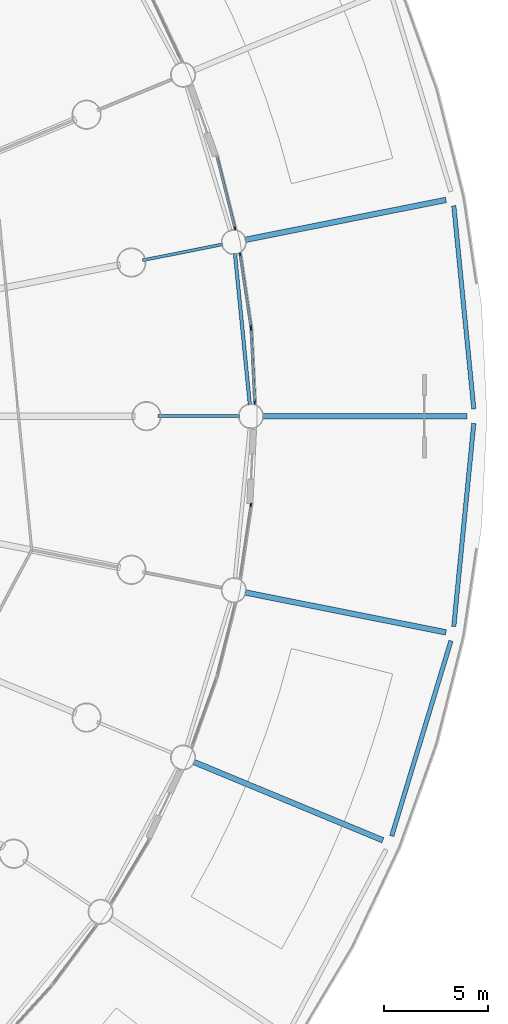
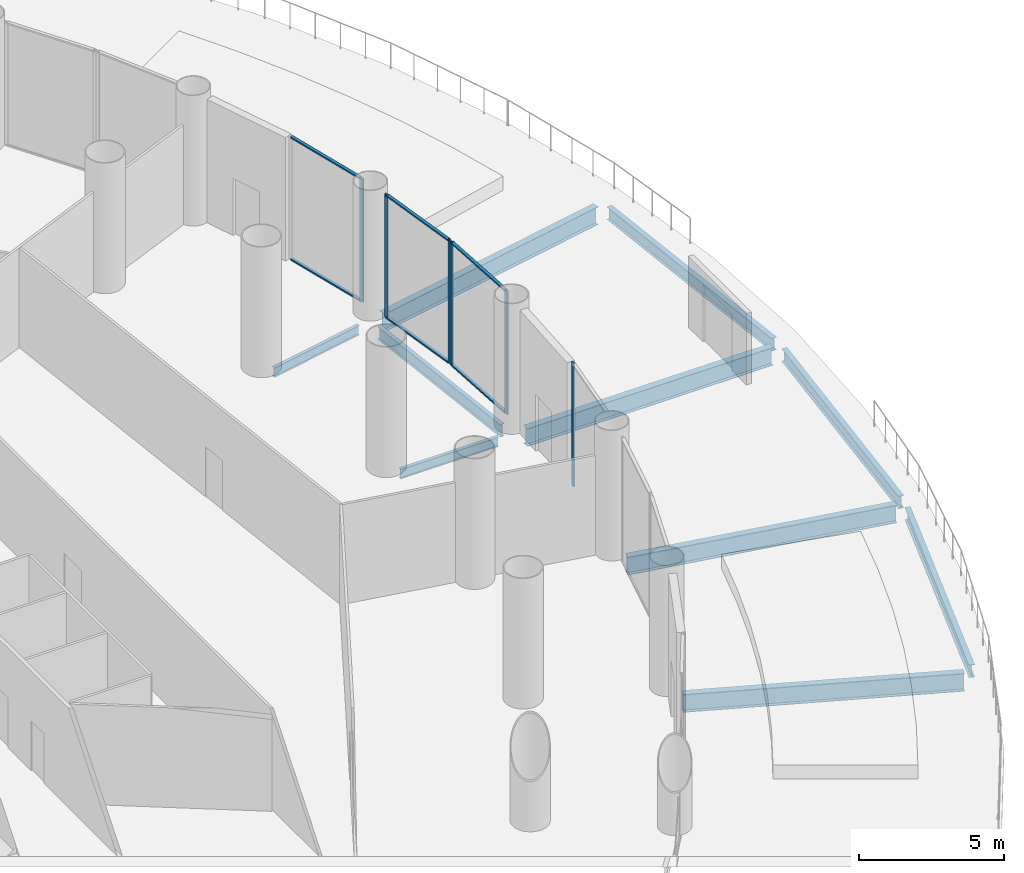
# One storey, part 16 of 36: 12 members, 10 beams, 4 elements without a shape of their own.
"""IFC4 building model written with IfcOpenShell, lengths in metres."""

from ifc_helpers import new_model, si_unit, direction, frame, origin, origin_2d, place, context, subcontext, project, spatial, rectangle, i_section, extrude, material, material_profile, profile_set, type_object, element, aggregate, save


model = new_model("IFC4")

# Units and contexts
model_context = context("Model", 3, precision=1e-05, world=origin(), true_north=direction((0.0, 1.0)))
body_context = subcontext(model_context, "Body", "Model", "MODEL_VIEW")
ifc_project = project(units=[si_unit("LENGTHUNIT", "METRE"), si_unit("AREAUNIT", "SQUARE_METRE"), si_unit("VOLUMEUNIT", "CUBIC_METRE"), si_unit("PLANEANGLEUNIT", "RADIAN"), si_unit("MASSUNIT", "GRAM", prefix="KILO")], contexts=[model_context])

# Site, building, storey
site_placement = place(None, origin())
site = spatial("IfcSite", under=ifc_project, at=site_placement, CompositionType="ELEMENT")
building_placement = place(site_placement, origin())
building = spatial("IfcBuilding", under=site, at=building_placement, Name="Corvane Civic Tower", CompositionType="ELEMENT")
storey_placement = place(building_placement, frame((0.0, 0.0, 6.0)))
storey = spatial("IfcBuildingStorey", under=building, at=storey_placement, Name="L01", CompositionType="ELEMENT", Elevation=6.0)

# Beams
ifc_material_1 = material(Name="Steel ASTM A992 Gr 50", Category="steel")
ifc_material_profile_1 = material_profile(ifc_material_1, i_section(OverallWidth=0.2666015625, OverallDepth=0.7568359375, WebThickness=0.013916015625, FlangeThickness=0.019287109375, at=origin_2d()), Name="W30X108")
ifc_profile_set_1 = profile_set([ifc_material_profile_1], Name="Steel ASTM A992 Gr 50")
beam_type_1 = type_object("IfcBeamType", Name="DECK BEAM W30X108", PredefinedType="BEAM", material=ifc_profile_set_1)
for number, where, z_axis, x_axis, name in (
    (1, (42.4189453125, 8.437744140625, -0.678466796875), (0.980786137942, 0.195086010826, 0.0), (-0.195086010826, 0.980786137942, 0.0), "BM-L01-D08"),
    (2, (43.25, 0.0, -0.678466796875), (1.0, 0.0, 0.0), (0.0, 1.0, 0.0), "BM-L01-D09"),
    (3, (42.4189453125, -8.437744140625, -0.678466796875), (0.980786137942, -0.195086010826, 0.0), (0.195086010826, 0.980786137942, 0.0), "BM-L01-D10"),
):
    element("IfcBeam", number, at=place(storey_placement, frame(where, z_axis=z_axis, x_axis=x_axis)), inside=storey, type_object=beam_type_1, Name=name, PredefinedType="BEAM", context=body_context, shape_type="SweptSolid", body=[
        extrude(i_section(OverallWidth=0.2666015625, OverallDepth=0.7568359375, WebThickness=0.013916015625, FlangeThickness=0.019287109375, at=origin_2d()), origin(), (0.0, 0.0, 1.0), 9.800048828125),
    ])
beam_1_placement = place(storey_placement, frame((39.957763671875, -16.551025390625, -0.678466796875), z_axis=(0.923880501031, -0.382681094144, 0.0), x_axis=(0.382681094144, 0.923880501031, 0.0)))
element("IfcBeam", 4, at=beam_1_placement, inside=storey, type_object=beam_type_1, Name="BM-L01-D11", PredefinedType="BEAM", context=body_context, shape_type="SweptSolid", body=[
    extrude(i_section(OverallWidth=0.2666015625, OverallDepth=0.7568359375, WebThickness=0.013916015625, FlangeThickness=0.019287109375, at=origin_2d()), origin(), (0.0, 0.0, 1.0), 9.7998046875),
])
ifc_material_2 = material(Name="Steel ASTM A992 Gr 50", Category="steel")
ifc_material_profile_2 = material_profile(ifc_material_2, i_section(OverallWidth=0.165771484375, OverallDepth=0.5283203125, WebThickness=0.009765625, FlangeThickness=0.013671875, at=origin_2d()), Name="W21X50")
ifc_profile_set_2 = profile_set([ifc_material_profile_2], Name="Steel ASTM A992 Gr 50")
beam_type_2 = type_object("IfcBeamType", Name="EDGE BEAM W21X50", PredefinedType="BEAM", material=ifc_profile_set_2)
beam_2_placement = place(storey_placement, frame((41.93359375, 7.782958984375, -0.564208984375), z_axis=(0.097984225478, -0.995187967953, 0.0), x_axis=(0.995187967953, 0.097984225478, 0.0)))
element("IfcBeam", 5, at=beam_2_placement, inside=storey, type_object=beam_type_2, Name="BM-L01-E08", PredefinedType="BEAM", context=body_context, shape_type="SweptSolid", body=[
    extrude(i_section(OverallWidth=0.165771484375, OverallDepth=0.5283203125, WebThickness=0.009765625, FlangeThickness=0.013671875, at=origin_2d()), origin(), (0.0, 0.0, 1.0), 7.2705078125),
])
ifc_material_3 = material(Name="Steel ASTM A992 Gr 50", Category="steel")
ifc_material_profile_3 = material_profile(ifc_material_3, i_section(OverallWidth=0.209228515625, OverallDepth=0.533447265625, WebThickness=0.01025390625, FlangeThickness=0.015625, at=origin_2d()), Name="W21X62")
ifc_profile_set_3 = profile_set([ifc_material_profile_3], Name="Steel ASTM A992 Gr 50")
beam_type_3 = type_object("IfcBeamType", Name="EDGE BEAM W21X62", PredefinedType="BEAM", material=ifc_profile_set_3)
for number, where, z_axis, x_axis, name in (
    (6, (52.408203125, 10.0693359375, -0.566650390625), (0.098001490731, -0.995186267899, 0.0), (0.995186267899, 0.098001490731, 0.0), "BM-L01-H08"),
    (7, (53.365478515625, -0.348388671875, -0.566650390625), (-0.098001490731, -0.995186267899, 0.0), (0.995186267899, -0.098001490731, 0.0), "BM-L01-H09"),
):
    element("IfcBeam", number, at=place(storey_placement, frame(where, z_axis=z_axis, x_axis=x_axis)), inside=storey, type_object=beam_type_3, Name=name, PredefinedType="BEAM", context=body_context, shape_type="SweptSolid", body=[
        extrude(i_section(OverallWidth=0.209228515625, OverallDepth=0.533447265625, WebThickness=0.01025390625, FlangeThickness=0.015625, at=origin_2d()), origin(), (0.0, 0.0, 1.0), 9.76806640625),
    ])
beam_3_placement = place(storey_placement, frame((52.2724609375, -10.752685546875, -0.566650390625), z_axis=(-0.290295255144, -0.956937126901, 0.0), x_axis=(0.956937126901, -0.290295255144, 0.0)))
element("IfcBeam", 8, at=beam_3_placement, inside=storey, type_object=beam_type_3, Name="BM-L01-H10", PredefinedType="BEAM", context=body_context, shape_type="SweptSolid", body=[
    extrude(i_section(OverallWidth=0.209228515625, OverallDepth=0.533447265625, WebThickness=0.01025390625, FlangeThickness=0.015625, at=origin_2d()), origin(), (0.0, 0.0, 1.0), 9.768310546875),
])
ifc_material_4 = material(Name="Steel ASTM A992 Gr 50", Category="steel")
ifc_material_profile_4 = material_profile(ifc_material_4, i_section(OverallWidth=0.140380859375, OverallDepth=0.40380859375, WebThickness=0.007080078125, FlangeThickness=0.01123046875, at=origin_2d()), Name="W16X31")
ifc_profile_set_4 = profile_set([ifc_material_profile_4], Name="Steel ASTM A992 Gr 50")
beam_type_4 = type_object("IfcBeamType", Name="FLOOR GIRDER W16X31", PredefinedType="BEAM", material=ifc_profile_set_4)
for number, where, z_axis, x_axis, name in (
    (9, (37.51513671875, 7.462158203125, -0.501953125), (0.980777614264, 0.195128858343, 0.0), (-0.195128858343, 0.980777614264, 0.0), "BM-L01-G08b"),
    (10, (38.25, 0.0, -0.501953125), (1.0, 0.0, 0.0), (0.0, 1.0, 0.0), "BM-L01-G09b"),
):
    element("IfcBeam", number, at=place(storey_placement, frame(where, z_axis=z_axis, x_axis=x_axis)), inside=storey, type_object=beam_type_4, Name=name, PredefinedType="BEAM", context=body_context, shape_type="SweptSolid", body=[
        extrude(i_section(OverallWidth=0.140380859375, OverallDepth=0.40380859375, WebThickness=0.007080078125, FlangeThickness=0.01123046875, at=origin_2d()), origin(), (0.0, 0.0, 1.0), 3.89990234375),
    ])

# Curtain wall, member
ifc_material_5 = material(Name="Aluminium and glass", Category="aluminium")
curtain_wall_type = type_object("IfcCurtainWallType", Name="PODIUM-CW-P-RUN", PredefinedType="NOTDEFINED", material=ifc_material_5)
curtain_wall_1_placement = place(storey_placement, origin())
curtain_wall_1 = element("IfcCurtainWall", 11, at=curtain_wall_1_placement, inside=storey, type_object=curtain_wall_type, Name="PODI run L01-drum-07B", PredefinedType="NOTDEFINED")
ifc_material_6 = material(Name="Anodised aluminium bronze", Category="aluminium")
ifc_material_profile_5 = material_profile(ifc_material_6, rectangle(XDim=0.06005859375, YDim=0.159912109375, at=origin_2d()), Name="AL 60x160")
ifc_profile_set_5 = profile_set([ifc_material_profile_5], Name="Anodised aluminium bronze")
member_type_1 = type_object("IfcMemberType", Name="PODIUM-CWP-MULLION-60x160", PredefinedType="MULLION", material=ifc_profile_set_5)
member_1_placement = place(storey_placement, frame((41.9287109375, 8.99755859375, 0.0), z_axis=(0.0, 0.0, 1.0), x_axis=(0.970024070659, 0.243008852393, 0.0)))
member_1 = element("IfcMember", 12, at=member_1_placement, type_object=member_type_1, Name="CW-P mullion 2", PredefinedType="MULLION", context=body_context, shape_type="SweptSolid", body=[
    extrude(rectangle(XDim=0.06005859375, YDim=0.159912109375, at=origin_2d()), origin(), (0.0, 0.0, 1.0), 5.199951171875),
])

# Curtain wall, members
curtain_wall_2_placement = place(storey_placement, origin())
curtain_wall_2 = element("IfcCurtainWall", 13, at=curtain_wall_2_placement, inside=storey, type_object=curtain_wall_type, Name="PODI run L01-drum-08A", PredefinedType="NOTDEFINED")
member_2_placement = place(storey_placement, frame((42.18017578125, 7.732666015625, 0.0), z_axis=(0.0, 0.0, 1.0), x_axis=(0.989178850608, 0.146714694252, 0.0)))
member_2 = element("IfcMember", 14, at=member_2_placement, type_object=member_type_1, Name="CW-P mullion 1", PredefinedType="MULLION", context=body_context, shape_type="SweptSolid", body=[
    extrude(rectangle(XDim=0.06005859375, YDim=0.159912109375, at=origin_2d()), origin(), (0.0, 0.0, 1.0), 5.199951171875),
])
member_3_placement = place(storey_placement, frame((42.696533203125, 4.2509765625, 0.0), z_axis=(0.0, 0.0, 1.0), x_axis=(0.989178850608, 0.146714694252, 0.0)))
member_3 = element("IfcMember", 15, at=member_3_placement, type_object=member_type_1, Name="CW-P mullion 2", PredefinedType="MULLION", context=body_context, shape_type="SweptSolid", body=[
    extrude(rectangle(XDim=0.06005859375, YDim=0.159912109375, at=origin_2d()), origin(), (0.0, 0.0, 1.0), 5.199951171875),
])

curtain_wall_3_placement = place(storey_placement, origin())
curtain_wall_3 = element("IfcCurtainWall", 16, at=curtain_wall_3_placement, inside=storey, type_object=curtain_wall_type, Name="PODI run L01-drum-08B", PredefinedType="NOTDEFINED")
member_4_placement = place(storey_placement, frame((42.70556640625, 4.16064453125, 0.0), z_axis=(0.0, 0.0, 1.0), x_axis=(0.998796316803, 0.04905015332, 0.0)))
member_4 = element("IfcMember", 17, at=member_4_placement, type_object=member_type_1, Name="CW-P mullion 1", PredefinedType="MULLION", context=body_context, shape_type="SweptSolid", body=[
    extrude(rectangle(XDim=0.06005859375, YDim=0.159912109375, at=origin_2d()), origin(), (0.0, 0.0, 1.0), 5.199951171875),
])
member_5_placement = place(storey_placement, frame((42.878173828125, 0.644775390625, 0.0), z_axis=(0.0, 0.0, 1.0), x_axis=(0.998796316803, 0.04905015332, 0.0)))
member_5 = element("IfcMember", 18, at=member_5_placement, type_object=member_type_1, Name="CW-P mullion 2", PredefinedType="MULLION", context=body_context, shape_type="SweptSolid", body=[
    extrude(rectangle(XDim=0.06005859375, YDim=0.159912109375, at=origin_2d()), origin(), (0.0, 0.0, 1.0), 5.199951171875),
])

# Curtain wall, member
curtain_wall_4_placement = place(storey_placement, origin())
curtain_wall_4 = element("IfcCurtainWall", 19, at=curtain_wall_4_placement, inside=storey, type_object=curtain_wall_type, Name="PODI run L01-drum-09B", PredefinedType="NOTDEFINED")
member_6_placement = place(storey_placement, frame((42.696533203125, -4.2509765625, 0.0), z_axis=(0.0, 0.0, 1.0), x_axis=(0.989178850608, -0.146714694252, 0.0)))
member_6 = element("IfcMember", 20, at=member_6_placement, type_object=member_type_1, Name="CW-P mullion 1", PredefinedType="MULLION", context=body_context, shape_type="SweptSolid", body=[
    extrude(rectangle(XDim=0.06005859375, YDim=0.159912109375, at=origin_2d()), origin(), (0.0, 0.0, 1.0), 5.199951171875),
])
aggregate(curtain_wall_4, [member_6])

# Member
ifc_material_7 = material(Name="Anodised aluminium bronze", Category="aluminium")
ifc_material_profile_6 = material_profile(ifc_material_7, rectangle(XDim=0.1201171875, YDim=0.06005859375, at=origin_2d()), Name="AL 120x60")
ifc_profile_set_6 = profile_set([ifc_material_profile_6], Name="Anodised aluminium bronze")
member_type_2 = type_object("IfcMemberType", Name="PODIUM-CWP-TRANSOM-60x120", PredefinedType="USERDEFINED", material=ifc_profile_set_6)
member_7_placement = place(storey_placement, frame((41.08056640625, 12.3828125, 0.030029296875), z_axis=(0.243017080124, -0.970022009425, 0.0), x_axis=(0.970022009425, 0.243017080124, 0.0)))
member_7 = element("IfcMember", 21, at=member_7_placement, type_object=member_type_2, Name="CW-P transom 1.1", ObjectType="TRANSOM", PredefinedType="USERDEFINED", context=body_context, shape_type="SweptSolid", body=[
    extrude(rectangle(XDim=0.1201171875, YDim=0.06005859375, at=origin_2d()), origin(), (0.0, 0.0, 1.0), 3.4599609375),
])

member_8_placement = place(storey_placement, frame((41.08056640625, 12.3828125, 5.169921875), z_axis=(0.243017080124, -0.970022009425, 0.0), x_axis=(0.970022009425, 0.243017080124, 0.0)))
member_8 = element("IfcMember", 22, at=member_8_placement, type_object=member_type_2, Name="CW-P transom 1.2", ObjectType="TRANSOM", PredefinedType="USERDEFINED", context=body_context, shape_type="SweptSolid", body=[
    extrude(rectangle(XDim=0.1201171875, YDim=0.06005859375, at=origin_2d()), origin(), (0.0, 0.0, 1.0), 3.4599609375),
])

aggregate(curtain_wall_1, [member_1, member_7, member_8])

member_9_placement = place(storey_placement, frame((42.1845703125, 7.703125, 0.030029296875), z_axis=(0.146704660039, -0.989180338828, 0.0), x_axis=(0.989180338828, 0.146704660039, 0.0)))
member_9 = element("IfcMember", 23, at=member_9_placement, type_object=member_type_2, Name="CW-P transom 1.1", ObjectType="TRANSOM", PredefinedType="USERDEFINED", context=body_context, shape_type="SweptSolid", body=[
    extrude(rectangle(XDim=0.1201171875, YDim=0.06005859375, at=origin_2d()), origin(), (0.0, 0.0, 1.0), 3.459716796875),
])

member_10_placement = place(storey_placement, frame((42.1845703125, 7.703125, 5.169921875), z_axis=(0.146704660039, -0.989180338828, 0.0), x_axis=(0.989180338828, 0.146704660039, 0.0)))
member_10 = element("IfcMember", 24, at=member_10_placement, type_object=member_type_2, Name="CW-P transom 1.2", ObjectType="TRANSOM", PredefinedType="USERDEFINED", context=body_context, shape_type="SweptSolid", body=[
    extrude(rectangle(XDim=0.1201171875, YDim=0.06005859375, at=origin_2d()), origin(), (0.0, 0.0, 1.0), 3.459716796875),
])

aggregate(curtain_wall_2, [member_2, member_3, member_9, member_10])

member_11_placement = place(storey_placement, frame((42.70703125, 4.130615234375, 0.030029296875), z_axis=(0.049040182301, -0.998796806423, 0.0), x_axis=(0.998796806423, 0.049040182301, 0.0)))
member_11 = element("IfcMember", 25, at=member_11_placement, type_object=member_type_2, Name="CW-P transom 1.1", ObjectType="TRANSOM", PredefinedType="USERDEFINED", context=body_context, shape_type="SweptSolid", body=[
    extrude(rectangle(XDim=0.1201171875, YDim=0.06005859375, at=origin_2d()), origin(), (0.0, 0.0, 1.0), 3.4599609375),
])

member_12_placement = place(storey_placement, frame((42.70703125, 4.130615234375, 5.169921875), z_axis=(0.049040182301, -0.998796806423, 0.0), x_axis=(0.998796806423, 0.049040182301, 0.0)))
member_12 = element("IfcMember", 26, at=member_12_placement, type_object=member_type_2, Name="CW-P transom 1.2", ObjectType="TRANSOM", PredefinedType="USERDEFINED", context=body_context, shape_type="SweptSolid", body=[
    extrude(rectangle(XDim=0.1201171875, YDim=0.06005859375, at=origin_2d()), origin(), (0.0, 0.0, 1.0), 3.4599609375),
])

aggregate(curtain_wall_3, [member_4, member_5, member_11, member_12])

save(model, "model.ifc")
